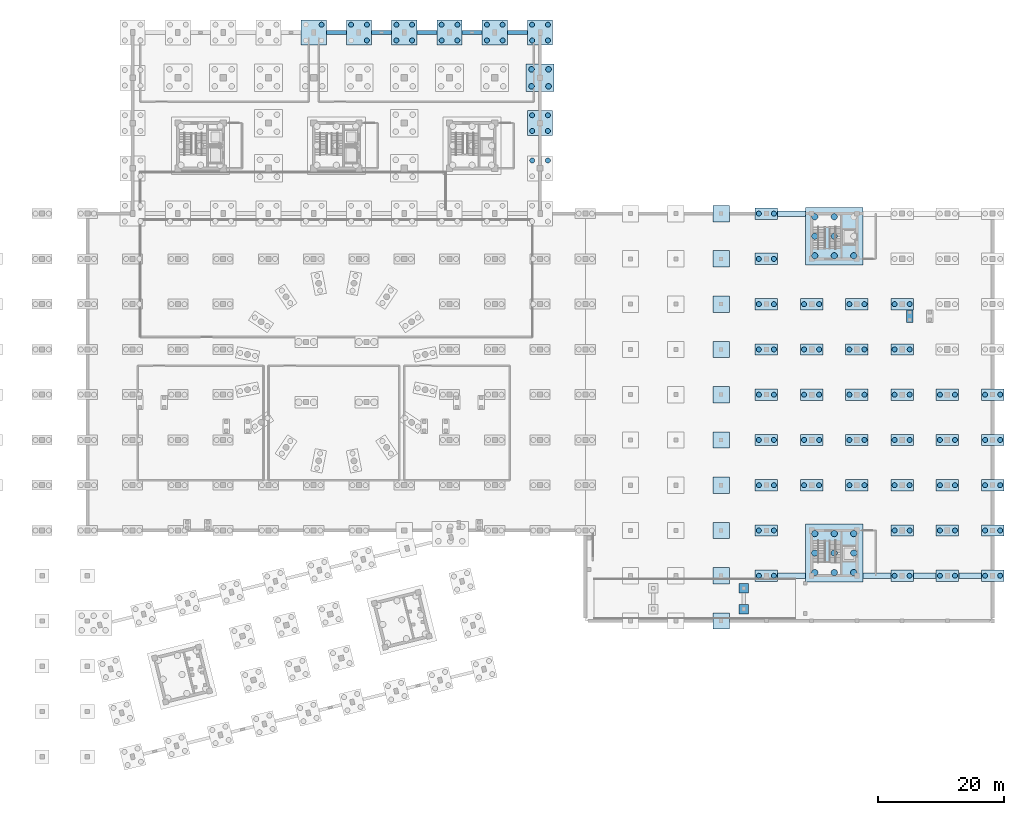
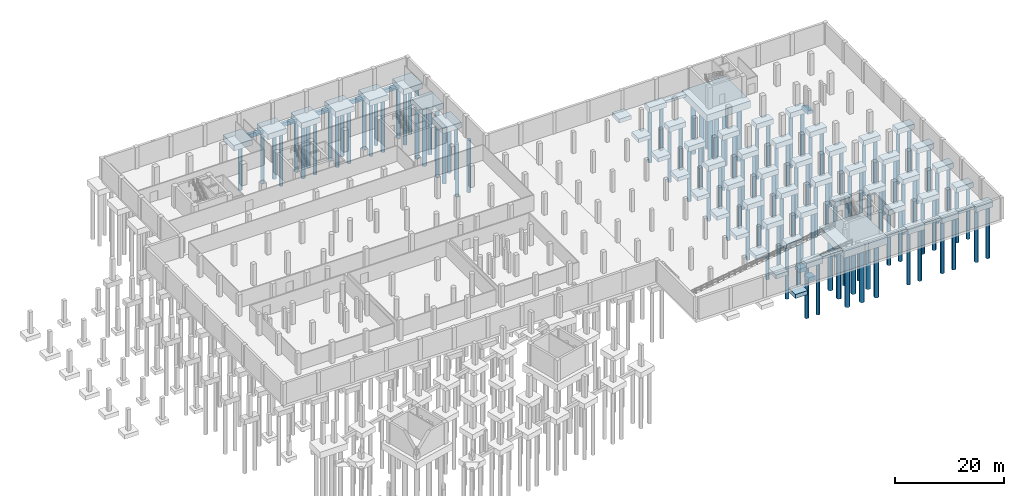
# One storey, part 5 of 19: 118 piles, 69 footings.
"""IFC4 building model written with IfcOpenShell, lengths in metres."""

from ifc_helpers import new_model, si_unit, direction, frame, origin, origin_2d, place, context, subcontext, project, spatial, rectangle, circle, extrude, material, material_profile, profile_set, type_object, element, save


model = new_model("IFC4")

# Units and contexts
model_context = context("Model", 3, precision=1e-05, world=origin(), true_north=direction((0.0, 1.0)))
body_context = subcontext(model_context, "Body", "Model", "MODEL_VIEW")
ifc_project = project(units=[si_unit("LENGTHUNIT", "METRE"), si_unit("AREAUNIT", "SQUARE_METRE"), si_unit("VOLUMEUNIT", "CUBIC_METRE"), si_unit("PLANEANGLEUNIT", "RADIAN"), si_unit("MASSUNIT", "GRAM", prefix="KILO")], contexts=[model_context])

# Site, building, storey
site_placement = place(None, origin())
site = spatial("IfcSite", under=ifc_project, at=site_placement, CompositionType="ELEMENT")
building_placement = place(site_placement, origin())
building = spatial("IfcBuilding", under=site, at=building_placement, Name="Qiaolan Assembly House", CompositionType="ELEMENT")
storey_placement = place(building_placement, frame((0.0, 0.0, -4.800048828125)))
storey = spatial("IfcBuildingStorey", under=building, at=storey_placement, Name="B1", CompositionType="ELEMENT", Elevation=-4.800048828125)

# Footings
ifc_material_1 = material(Name="Concrete C40/50", Category="concrete")
footing_type_1 = type_object("IfcFootingType", Name="FTG-CORE-RAFT-9200x9200", PredefinedType="PILE_CAP", material=ifc_material_1)
for number, where, z_axis, x_axis, name in (
    (1, (147.60009765625, 32.39990234375, -2.35009765625), (0.0, 0.0, 1.0), (1.0, 0.0, 0.0), "PC-01 pile cap CORE-E"),
    (2, (147.60009765625, 82.800048828125, -2.35009765625), (0.0, 0.0, 1.0), (1.0, 0.0, 0.0), "PC-01 pile cap CORE-F"),
):
    element("IfcFooting", number, at=place(storey_placement, frame(where, z_axis=z_axis, x_axis=x_axis)), inside=storey, type_object=footing_type_1, Name=name, PredefinedType="PILE_CAP", context=body_context, shape_type="SweptSolid", body=[
        extrude(rectangle(XDim=9.199951171875, YDim=9.199951171875, at=origin_2d()), origin(), (0.0, 0.0, 1.0), 1.60009765625),
    ])
ifc_material_profile_1 = material_profile(ifc_material_1, rectangle(XDim=0.60009765625, YDim=0.89990234375, at=origin_2d()), Name="GF 600x900")
ifc_profile_set_1 = profile_set([ifc_material_profile_1], Name="Concrete C40/50")
footing_type_2 = type_object("IfcFootingType", Name="FTG-GB-600x900", PredefinedType="FOOTING_BEAM", material=ifc_profile_set_1)
for number, where, z_axis, x_axis, name in (
    (3, (66.802978515625, 115.199951171875, -1.199951171875), (1.0, 0.0, 0.0), (0.0, 1.0, 0.0), "GF-01 ground tie beam NW-115-4"),
    (4, (74.0029296875, 115.199951171875, -1.199951171875), (1.0, 0.0, 0.0), (0.0, 1.0, 0.0), "GF-01 ground tie beam NW-115-5"),
    (5, (81.202880859375, 115.199951171875, -1.199951171875), (1.0, 0.0, 0.0), (0.0, 1.0, 0.0), "GF-01 ground tie beam NW-115-6"),
):
    element("IfcFooting", number, at=place(storey_placement, frame(where, z_axis=z_axis, x_axis=x_axis)), inside=storey, type_object=footing_type_2, Name=name, PredefinedType="FOOTING_BEAM", context=body_context, shape_type="SweptSolid", body=[
        extrude(rectangle(XDim=0.60009765625, YDim=0.89990234375, at=origin_2d()), origin(), (0.0, 0.0, 1.0), 3.194091796875),
    ])
footing_1_placement = place(storey_placement, frame((88.403076171875, 115.199951171875, -1.199951171875), z_axis=(1.0, 0.0, 0.0), x_axis=(0.0, 1.0, 0.0)))
element("IfcFooting", 6, at=footing_1_placement, inside=storey, type_object=footing_type_2, Name="GF-01 ground tie beam NW-115-7", PredefinedType="FOOTING_BEAM", context=body_context, shape_type="SweptSolid", body=[
    extrude(rectangle(XDim=0.60009765625, YDim=0.89990234375, at=origin_2d()), origin(), (0.0, 0.0, 1.0), 3.19384765625),
])
footing_2_placement = place(storey_placement, frame((95.60302734375, 115.199951171875, -1.199951171875), z_axis=(1.0, 0.0, 0.0), x_axis=(0.0, 1.0, 0.0)))
element("IfcFooting", 7, at=footing_2_placement, inside=storey, type_object=footing_type_2, Name="GF-01 ground tie beam NW-115-8", PredefinedType="FOOTING_BEAM", context=body_context, shape_type="SweptSolid", body=[
    extrude(rectangle(XDim=0.60009765625, YDim=0.89990234375, at=origin_2d()), origin(), (0.0, 0.0, 1.0), 3.194091796875),
])
footing_type_3 = type_object("IfcFootingType", Name="FTG-PAD-1500x1500", PredefinedType="PAD_FOOTING", material=ifc_material_1)
for number, where, z_axis, x_axis, name in (
    (8, (133.199951171875, 23.5, -0.89990234375), (0.0, 0.0, 1.0), (1.0, 0.0, 0.0), "PF-05 vehicle ramp pad footing 1"),
    (9, (133.199951171875, 26.800048828125, -0.89990234375), (0.0, 0.0, 1.0), (1.0, 0.0, 0.0), "PF-05 vehicle ramp pad footing 1"),
):
    element("IfcFooting", number, at=place(storey_placement, frame(where, z_axis=z_axis, x_axis=x_axis)), inside=storey, type_object=footing_type_3, Name=name, PredefinedType="PAD_FOOTING", context=body_context, shape_type="SweptSolid", body=[
        extrude(rectangle(XDim=1.5, YDim=1.5, at=origin_2d()), origin(), (0.0, 0.0, 1.0), 0.89990234375),
    ])
footing_type_4 = type_object("IfcFootingType", Name="FTG-PAD-2600x2600", PredefinedType="PAD_FOOTING", material=ifc_material_1)
for number, where, z_axis, x_axis, name in (
    (10, (129.60009765625, 21.60009765625, -1.64990234375), (0.0, 0.0, 1.0), (1.0, 0.0, 0.0), "PF-02 cloister/carpark pad footing 2-0"),
    (11, (129.60009765625, 28.800048828125, -1.64990234375), (0.0, 0.0, 1.0), (1.0, 0.0, 0.0), "PF-02 cloister/carpark pad footing 2-1"),
    (12, (129.60009765625, 36.0, -1.64990234375), (0.0, 0.0, 1.0), (1.0, 0.0, 0.0), "PF-02 cloister/carpark pad footing 2-2"),
    (13, (129.60009765625, 43.199951171875, -1.64990234375), (0.0, 0.0, 1.0), (1.0, 0.0, 0.0), "PF-02 cloister/carpark pad footing 2-3"),
    (14, (129.60009765625, 50.39990234375, -1.64990234375), (0.0, 0.0, 1.0), (1.0, 0.0, 0.0), "PF-02 cloister/carpark pad footing 2-4"),
    (15, (129.60009765625, 57.60009765625, -1.64990234375), (0.0, 0.0, 1.0), (1.0, 0.0, 0.0), "PF-02 cloister/carpark pad footing 2-5"),
    (16, (129.60009765625, 64.800048828125, -1.64990234375), (0.0, 0.0, 1.0), (1.0, 0.0, 0.0), "PF-02 cloister/carpark pad footing 2-6"),
    (17, (129.60009765625, 72.0, -1.64990234375), (0.0, 0.0, 1.0), (1.0, 0.0, 0.0), "PF-02 cloister/carpark pad footing 2-7"),
    (18, (129.60009765625, 79.199951171875, -1.64990234375), (0.0, 0.0, 1.0), (1.0, 0.0, 0.0), "PF-02 cloister/carpark pad footing 2-8"),
    (19, (129.60009765625, 86.39990234375, -1.64990234375), (0.0, 0.0, 1.0), (1.0, 0.0, 0.0), "PF-02 cloister/carpark pad footing 2-9"),
):
    element("IfcFooting", number, at=place(storey_placement, frame(where, z_axis=z_axis, x_axis=x_axis)), inside=storey, type_object=footing_type_4, Name=name, PredefinedType="PAD_FOOTING", context=body_context, shape_type="SweptSolid", body=[
        extrude(rectangle(XDim=2.60009765625, YDim=2.60009765625, at=origin_2d()), origin(), (0.0, 0.0, 1.0), 0.89990234375),
    ])
footing_type_5 = type_object("IfcFootingType", Name="FTG-PAD-3000x2400", PredefinedType="PAD_FOOTING", material=ifc_material_1)
footing_3_placement = place(storey_placement, frame((159.60009765625, 70.10009765625, -0.75), z_axis=(0.0, 0.0, 1.0), x_axis=(1.0, 0.0, 0.0)))
element("IfcFooting", 20, at=footing_3_placement, inside=storey, type_object=footing_type_5, Name="PF-04 library stair combined footing 1", PredefinedType="PAD_FOOTING", context=body_context, shape_type="SweptSolid", body=[
    extrude(rectangle(XDim=1.050048828125, YDim=2.0, at=origin_2d()), origin(), (0.0, 0.0, 1.0), 0.699951171875),
])
footing_type_6 = type_object("IfcFootingType", Name="FTG-PC-2P-3600x1800", PredefinedType="PILE_CAP", material=ifc_material_1)
for number, where, z_axis, x_axis, name in (
    (21, (136.800048828125, 28.800048828125, -1.89990234375), (0.0, 0.0, 1.0), (1.0, 0.0, 0.0), "PC-06 pile cap LB-00-00"),
    (22, (136.800048828125, 36.0, -1.89990234375), (0.0, 0.0, 1.0), (1.0, 0.0, 0.0), "PC-06 pile cap LB-00-01"),
    (23, (136.800048828125, 43.199951171875, -1.89990234375), (0.0, 0.0, 1.0), (1.0, 0.0, 0.0), "PC-06 pile cap LB-00-02"),
    (24, (136.800048828125, 50.39990234375, -1.89990234375), (0.0, 0.0, 1.0), (1.0, 0.0, 0.0), "PC-06 pile cap LB-00-03"),
    (25, (136.800048828125, 57.60009765625, -1.89990234375), (0.0, 0.0, 1.0), (1.0, 0.0, 0.0), "PC-06 pile cap LB-00-04"),
    (26, (136.800048828125, 64.800048828125, -1.89990234375), (0.0, 0.0, 1.0), (1.0, 0.0, 0.0), "PC-06 pile cap LB-00-05"),
    (27, (136.800048828125, 72.0, -1.89990234375), (0.0, 0.0, 1.0), (1.0, 0.0, 0.0), "PC-06 pile cap LB-00-06"),
    (28, (136.800048828125, 79.199951171875, -1.89990234375), (0.0, 0.0, 1.0), (1.0, 0.0, 0.0), "PC-06 pile cap LB-00-07"),
    (29, (136.800048828125, 86.39990234375, -1.89990234375), (0.0, 0.0, 1.0), (1.0, 0.0, 0.0), "PC-06 pile cap LB-00-08"),
    (30, (144.0, 43.199951171875, -1.89990234375), (0.0, 0.0, 1.0), (1.0, 0.0, 0.0), "PC-06 pile cap LB-01-02"),
    (31, (144.0, 50.39990234375, -1.89990234375), (0.0, 0.0, 1.0), (1.0, 0.0, 0.0), "PC-06 pile cap LB-01-03"),
    (32, (144.0, 57.60009765625, -1.89990234375), (0.0, 0.0, 1.0), (1.0, 0.0, 0.0), "PC-06 pile cap LB-01-04"),
    (33, (144.0, 64.800048828125, -1.89990234375), (0.0, 0.0, 1.0), (1.0, 0.0, 0.0), "PC-06 pile cap LB-01-05"),
    (34, (144.0, 72.0, -1.89990234375), (0.0, 0.0, 1.0), (1.0, 0.0, 0.0), "PC-06 pile cap LB-01-06"),
    (35, (151.199951171875, 43.199951171875, -1.89990234375), (0.0, 0.0, 1.0), (1.0, 0.0, 0.0), "PC-06 pile cap LB-02-02"),
    (36, (151.199951171875, 50.39990234375, -1.89990234375), (0.0, 0.0, 1.0), (1.0, 0.0, 0.0), "PC-06 pile cap LB-02-03"),
    (37, (151.199951171875, 57.60009765625, -1.89990234375), (0.0, 0.0, 1.0), (1.0, 0.0, 0.0), "PC-06 pile cap LB-02-04"),
    (38, (151.199951171875, 64.800048828125, -1.89990234375), (0.0, 0.0, 1.0), (1.0, 0.0, 0.0), "PC-06 pile cap LB-02-05"),
    (39, (151.199951171875, 72.0, -1.89990234375), (0.0, 0.0, 1.0), (1.0, 0.0, 0.0), "PC-06 pile cap LB-02-06"),
    (40, (158.39990234375, 28.800048828125, -1.89990234375), (0.0, 0.0, 1.0), (1.0, 0.0, 0.0), "PC-06 pile cap LB-03-00"),
    (41, (158.39990234375, 36.0, -1.89990234375), (0.0, 0.0, 1.0), (1.0, 0.0, 0.0), "PC-06 pile cap LB-03-01"),
    (42, (158.39990234375, 43.199951171875, -1.89990234375), (0.0, 0.0, 1.0), (1.0, 0.0, 0.0), "PC-06 pile cap LB-03-02"),
    (43, (158.39990234375, 50.39990234375, -1.89990234375), (0.0, 0.0, 1.0), (1.0, 0.0, 0.0), "PC-06 pile cap LB-03-03"),
    (44, (158.39990234375, 57.60009765625, -1.89990234375), (0.0, 0.0, 1.0), (1.0, 0.0, 0.0), "PC-06 pile cap LB-03-04"),
    (45, (158.39990234375, 64.800048828125, -1.89990234375), (0.0, 0.0, 1.0), (1.0, 0.0, 0.0), "PC-06 pile cap LB-03-05"),
    (46, (158.39990234375, 72.0, -1.89990234375), (0.0, 0.0, 1.0), (1.0, 0.0, 0.0), "PC-06 pile cap LB-03-06"),
    (47, (165.60009765625, 28.800048828125, -1.89990234375), (0.0, 0.0, 1.0), (1.0, 0.0, 0.0), "PC-06 pile cap LB-04-00"),
    (48, (165.60009765625, 36.0, -1.89990234375), (0.0, 0.0, 1.0), (1.0, 0.0, 0.0), "PC-06 pile cap LB-04-01"),
    (49, (165.60009765625, 43.199951171875, -1.89990234375), (0.0, 0.0, 1.0), (1.0, 0.0, 0.0), "PC-06 pile cap LB-04-02"),
    (50, (165.60009765625, 50.39990234375, -1.89990234375), (0.0, 0.0, 1.0), (1.0, 0.0, 0.0), "PC-06 pile cap LB-04-03"),
    (51, (165.60009765625, 57.60009765625, -1.89990234375), (0.0, 0.0, 1.0), (1.0, 0.0, 0.0), "PC-06 pile cap LB-04-04"),
    (52, (172.800048828125, 28.800048828125, -1.89990234375), (0.0, 0.0, 1.0), (1.0, 0.0, 0.0), "PC-06 pile cap LB-05-00"),
    (53, (172.800048828125, 36.0, -1.89990234375), (0.0, 0.0, 1.0), (1.0, 0.0, 0.0), "PC-06 pile cap LB-05-01"),
    (54, (172.800048828125, 43.199951171875, -1.89990234375), (0.0, 0.0, 1.0), (1.0, 0.0, 0.0), "PC-06 pile cap LB-05-02"),
    (55, (172.800048828125, 50.39990234375, -1.89990234375), (0.0, 0.0, 1.0), (1.0, 0.0, 0.0), "PC-06 pile cap LB-05-03"),
    (56, (172.800048828125, 57.60009765625, -1.89990234375), (0.0, 0.0, 1.0), (1.0, 0.0, 0.0), "PC-06 pile cap LB-05-04"),
):
    element("IfcFooting", number, at=place(storey_placement, frame(where, z_axis=z_axis, x_axis=x_axis)), inside=storey, type_object=footing_type_6, Name=name, PredefinedType="PILE_CAP", context=body_context, shape_type="SweptSolid", body=[
        extrude(rectangle(XDim=3.60009765625, YDim=1.800048828125, at=origin_2d()), origin(), (0.0, 0.0, 1.0), 1.14990234375),
    ])
footing_type_7 = type_object("IfcFootingType", Name="FTG-PC-4P-4000x4000", PredefinedType="PILE_CAP", material=ifc_material_1)
for number, where, z_axis, x_axis, name in (
    (57, (64.800048828125, 115.199951171875, -2.0), (0.0, 0.0, 1.0), (1.0, 0.0, 0.0), "PC-04 pile cap NW-04-04"),
    (58, (72.0, 115.199951171875, -2.0), (0.0, 0.0, 1.0), (1.0, 0.0, 0.0), "PC-04 pile cap NW-05-04"),
    (59, (79.199951171875, 115.199951171875, -2.0), (0.0, 0.0, 1.0), (1.0, 0.0, 0.0), "PC-04 pile cap NW-06-04"),
    (60, (86.39990234375, 115.199951171875, -2.0), (0.0, 0.0, 1.0), (1.0, 0.0, 0.0), "PC-04 pile cap NW-07-04"),
    (61, (93.60009765625, 115.199951171875, -2.0), (0.0, 0.0, 1.0), (1.0, 0.0, 0.0), "PC-04 pile cap NW-08-04"),
    (62, (100.800048828125, 100.800048828125, -2.0), (0.0, 0.0, 1.0), (1.0, 0.0, 0.0), "PC-04 pile cap NW-09-02"),
    (63, (100.800048828125, 115.199951171875, -2.0), (0.0, 0.0, 1.0), (1.0, 0.0, 0.0), "PC-04 pile cap NW-09-04"),
):
    element("IfcFooting", number, at=place(storey_placement, frame(where, z_axis=z_axis, x_axis=x_axis)), inside=storey, type_object=footing_type_7, Name=name, PredefinedType="PILE_CAP", context=body_context, shape_type="SweptSolid", body=[
        extrude(rectangle(XDim=4.0, YDim=4.0, at=origin_2d()), origin(), (0.0, 0.0, 1.0), 1.25),
    ])
footing_type_8 = type_object("IfcFootingType", Name="FTG-PC-4P-4400x4400", PredefinedType="PILE_CAP", material=ifc_material_1)
footing_4_placement = place(storey_placement, frame((100.800048828125, 108.0, -2.10009765625), z_axis=(0.0, 0.0, 1.0), x_axis=(1.0, 0.0, 0.0)))
element("IfcFooting", 64, at=footing_4_placement, inside=storey, type_object=footing_type_8, Name="PC-03 pile cap NW-09-03", PredefinedType="PILE_CAP", context=body_context, shape_type="SweptSolid", body=[
    extrude(rectangle(XDim=4.39990234375, YDim=4.39990234375, at=origin_2d()), origin(), (0.0, 0.0, 1.0), 1.35009765625),
])
ifc_material_profile_2 = material_profile(ifc_material_1, rectangle(XDim=0.89990234375, YDim=0.60009765625, at=origin_2d()), Name="SF 900x600")
ifc_profile_set_2 = profile_set([ifc_material_profile_2], Name="Concrete C40/50")
footing_type_9 = type_object("IfcFootingType", Name="FTG-STRIP-900x600", PredefinedType="STRIP_FOOTING", material=ifc_profile_set_2)
for number, where, z_axis, x_axis, name in (
    (65, (138.60302734375, 86.39990234375, -1.050048828125), (1.0, 0.0, 0.0), (0.0, 1.0, 0.0), "SF-01 strip footing beam LIB-0"),
    (66, (138.60302734375, 28.800048828125, -1.050048828125), (1.0, 0.0, 0.0), (0.0, 1.0, 0.0), "SF-01 strip footing beam LIB-S-0"),
    (67, (152.202880859375, 28.800048828125, -1.050048828125), (1.0, 0.0, 0.0), (0.0, 1.0, 0.0), "SF-01 strip footing beam LIB-S-2"),
):
    element("IfcFooting", number, at=place(storey_placement, frame(where, z_axis=z_axis, x_axis=x_axis)), inside=storey, type_object=footing_type_9, Name=name, PredefinedType="STRIP_FOOTING", context=body_context, shape_type="SweptSolid", body=[
        extrude(rectangle(XDim=0.89990234375, YDim=0.60009765625, at=origin_2d()), origin(), (0.0, 0.0, 1.0), 4.39404296875),
    ])
footing_5_placement = place(storey_placement, frame((160.202880859375, 28.800048828125, -1.050048828125), z_axis=(1.0, 0.0, 0.0), x_axis=(0.0, 1.0, 0.0)))
element("IfcFooting", 68, at=footing_5_placement, inside=storey, type_object=footing_type_9, Name="SF-01 strip footing beam LIB-S-3", PredefinedType="STRIP_FOOTING", context=body_context, shape_type="SweptSolid", body=[
    extrude(rectangle(XDim=0.89990234375, YDim=0.60009765625, at=origin_2d()), origin(), (0.0, 0.0, 1.0), 3.59423828125),
])
footing_6_placement = place(storey_placement, frame((167.403076171875, 28.800048828125, -1.050048828125), z_axis=(1.0, 0.0, 0.0), x_axis=(0.0, 1.0, 0.0)))
element("IfcFooting", 69, at=footing_6_placement, inside=storey, type_object=footing_type_9, Name="SF-01 strip footing beam LIB-S-4", PredefinedType="STRIP_FOOTING", context=body_context, shape_type="SweptSolid", body=[
    extrude(rectangle(XDim=0.89990234375, YDim=0.60009765625, at=origin_2d()), origin(), (0.0, 0.0, 1.0), 3.593994140625),
])

# Piles
ifc_material_2 = material(Name="Concrete C45/55", Category="concrete")
ifc_material_profile_3 = material_profile(ifc_material_2, circle(Radius=0.5, at=origin_2d()), Name="PILE D1000")
ifc_profile_set_3 = profile_set([ifc_material_profile_3], Name="Concrete C45/55")
pile_type_1 = type_object("IfcPileType", Name="PILE-BORED-D1000", PredefinedType="BORED", material=ifc_profile_set_3)
for number, where, z_axis, x_axis, name in (
    (70, (144.5, 29.300048828125, -2.25), (0.0, 0.0, -1.0), (1.0, 0.0, 0.0), "BP-03 rock-socketed pile CORE-E-1"),
    (71, (144.5, 32.39990234375, -2.25), (0.0, 0.0, -1.0), (1.0, 0.0, 0.0), "BP-03 rock-socketed pile CORE-E-2"),
    (72, (144.5, 35.5, -2.25), (0.0, 0.0, -1.0), (1.0, 0.0, 0.0), "BP-03 rock-socketed pile CORE-E-3"),
    (73, (147.60009765625, 29.300048828125, -2.25), (0.0, 0.0, -1.0), (1.0, 0.0, 0.0), "BP-03 rock-socketed pile CORE-E-4"),
    (74, (147.60009765625, 32.39990234375, -2.25), (0.0, 0.0, -1.0), (1.0, 0.0, 0.0), "BP-03 rock-socketed pile CORE-E-5"),
    (75, (147.60009765625, 35.5, -2.25), (0.0, 0.0, -1.0), (1.0, 0.0, 0.0), "BP-03 rock-socketed pile CORE-E-6"),
    (76, (150.699951171875, 29.300048828125, -2.25), (0.0, 0.0, -1.0), (1.0, 0.0, 0.0), "BP-03 rock-socketed pile CORE-E-7"),
    (77, (150.699951171875, 32.39990234375, -2.25), (0.0, 0.0, -1.0), (1.0, 0.0, 0.0), "BP-03 rock-socketed pile CORE-E-8"),
    (78, (150.699951171875, 35.5, -2.25), (0.0, 0.0, -1.0), (1.0, 0.0, 0.0), "BP-03 rock-socketed pile CORE-E-9"),
    (79, (144.5, 79.699951171875, -2.25), (0.0, 0.0, -1.0), (1.0, 0.0, 0.0), "BP-03 rock-socketed pile CORE-F-1"),
    (80, (144.5, 82.800048828125, -2.25), (0.0, 0.0, -1.0), (1.0, 0.0, 0.0), "BP-03 rock-socketed pile CORE-F-2"),
    (81, (144.5, 85.89990234375, -2.25), (0.0, 0.0, -1.0), (1.0, 0.0, 0.0), "BP-03 rock-socketed pile CORE-F-3"),
    (82, (147.60009765625, 79.699951171875, -2.25), (0.0, 0.0, -1.0), (1.0, 0.0, 0.0), "BP-03 rock-socketed pile CORE-F-4"),
    (83, (147.60009765625, 82.800048828125, -2.25), (0.0, 0.0, -1.0), (1.0, 0.0, 0.0), "BP-03 rock-socketed pile CORE-F-5"),
    (84, (147.60009765625, 85.89990234375, -2.25), (0.0, 0.0, -1.0), (1.0, 0.0, 0.0), "BP-03 rock-socketed pile CORE-F-6"),
    (85, (150.699951171875, 79.699951171875, -2.25), (0.0, 0.0, -1.0), (1.0, 0.0, 0.0), "BP-03 rock-socketed pile CORE-F-7"),
):
    element("IfcPile", number, at=place(storey_placement, frame(where, z_axis=z_axis, x_axis=x_axis)), inside=storey, type_object=pile_type_1, Name=name, PredefinedType="BORED", context=body_context, shape_type="SweptSolid", body=[
        extrude(circle(Radius=0.5, at=origin_2d()), origin(), (0.0, 0.0, 1.0), 12.199951171875),
    ])
ifc_material_profile_4 = material_profile(ifc_material_2, circle(Radius=0.39990234375, at=origin_2d()), Name="PILE D800")
ifc_profile_set_4 = profile_set([ifc_material_profile_4], Name="Concrete C45/55")
pile_type_2 = type_object("IfcPileType", Name="PILE-BORED-D800", PredefinedType="BORED", material=ifc_profile_set_4)
for number, where, z_axis, x_axis, name in (
    (86, (66.050048828125, 116.449951171875, -1.89990234375), (0.0, 0.0, -1.0), (1.0, 0.0, 0.0), "BP-01 rock-socketed pile NW-04-04-3"),
    (87, (73.25, 113.949951171875, -1.89990234375), (0.0, 0.0, -1.0), (1.0, 0.0, 0.0), "BP-01 rock-socketed pile NW-05-04-2"),
    (88, (73.25, 116.449951171875, -1.89990234375), (0.0, 0.0, -1.0), (1.0, 0.0, 0.0), "BP-01 rock-socketed pile NW-05-04-3"),
    (89, (70.75, 116.449951171875, -1.89990234375), (0.0, 0.0, -1.0), (1.0, 0.0, 0.0), "BP-01 rock-socketed pile NW-05-04-4"),
    (90, (77.949951171875, 113.949951171875, -1.89990234375), (0.0, 0.0, -1.0), (1.0, 0.0, 0.0), "BP-01 rock-socketed pile NW-06-04-1"),
    (91, (80.449951171875, 113.949951171875, -1.89990234375), (0.0, 0.0, -1.0), (1.0, 0.0, 0.0), "BP-01 rock-socketed pile NW-06-04-2"),
    (92, (80.449951171875, 116.449951171875, -1.89990234375), (0.0, 0.0, -1.0), (1.0, 0.0, 0.0), "BP-01 rock-socketed pile NW-06-04-3"),
    (93, (77.949951171875, 116.449951171875, -1.89990234375), (0.0, 0.0, -1.0), (1.0, 0.0, 0.0), "BP-01 rock-socketed pile NW-06-04-4"),
    (94, (85.14990234375, 113.949951171875, -1.89990234375), (0.0, 0.0, -1.0), (1.0, 0.0, 0.0), "BP-01 rock-socketed pile NW-07-04-1"),
    (95, (87.64990234375, 113.949951171875, -1.89990234375), (0.0, 0.0, -1.0), (1.0, 0.0, 0.0), "BP-01 rock-socketed pile NW-07-04-2"),
    (96, (87.64990234375, 116.449951171875, -1.89990234375), (0.0, 0.0, -1.0), (1.0, 0.0, 0.0), "BP-01 rock-socketed pile NW-07-04-3"),
    (97, (85.14990234375, 116.449951171875, -1.89990234375), (0.0, 0.0, -1.0), (1.0, 0.0, 0.0), "BP-01 rock-socketed pile NW-07-04-4"),
    (98, (92.35009765625, 113.949951171875, -1.89990234375), (0.0, 0.0, -1.0), (1.0, 0.0, 0.0), "BP-01 rock-socketed pile NW-08-04-1"),
    (99, (94.85009765625, 113.949951171875, -1.89990234375), (0.0, 0.0, -1.0), (1.0, 0.0, 0.0), "BP-01 rock-socketed pile NW-08-04-2"),
    (100, (94.85009765625, 116.449951171875, -1.89990234375), (0.0, 0.0, -1.0), (1.0, 0.0, 0.0), "BP-01 rock-socketed pile NW-08-04-3"),
    (101, (92.35009765625, 116.449951171875, -1.89990234375), (0.0, 0.0, -1.0), (1.0, 0.0, 0.0), "BP-01 rock-socketed pile NW-08-04-4"),
    (102, (102.050048828125, 94.85009765625, -1.89990234375), (0.0, 0.0, -1.0), (1.0, 0.0, 0.0), "BP-01 rock-socketed pile NW-09-01-3"),
    (103, (99.550048828125, 94.85009765625, -1.89990234375), (0.0, 0.0, -1.0), (1.0, 0.0, 0.0), "BP-01 rock-socketed pile NW-09-01-4"),
    (104, (99.550048828125, 99.550048828125, -1.89990234375), (0.0, 0.0, -1.0), (1.0, 0.0, 0.0), "BP-01 rock-socketed pile NW-09-02-1"),
    (105, (102.050048828125, 99.550048828125, -1.89990234375), (0.0, 0.0, -1.0), (1.0, 0.0, 0.0), "BP-01 rock-socketed pile NW-09-02-2"),
    (106, (102.050048828125, 102.050048828125, -1.89990234375), (0.0, 0.0, -1.0), (1.0, 0.0, 0.0), "BP-01 rock-socketed pile NW-09-02-3"),
    (107, (99.550048828125, 102.050048828125, -1.89990234375), (0.0, 0.0, -1.0), (1.0, 0.0, 0.0), "BP-01 rock-socketed pile NW-09-02-4"),
    (108, (99.550048828125, 113.949951171875, -1.89990234375), (0.0, 0.0, -1.0), (1.0, 0.0, 0.0), "BP-01 rock-socketed pile NW-09-04-1"),
    (109, (102.050048828125, 113.949951171875, -1.89990234375), (0.0, 0.0, -1.0), (1.0, 0.0, 0.0), "BP-01 rock-socketed pile NW-09-04-2"),
    (110, (102.050048828125, 116.449951171875, -1.89990234375), (0.0, 0.0, -1.0), (1.0, 0.0, 0.0), "BP-01 rock-socketed pile NW-09-04-3"),
    (111, (99.550048828125, 116.449951171875, -1.89990234375), (0.0, 0.0, -1.0), (1.0, 0.0, 0.0), "BP-01 rock-socketed pile NW-09-04-4"),
    (112, (135.60009765625, 28.800048828125, -1.800048828125), (0.0, 0.0, -1.0), (1.0, 0.0, 0.0), "BP-01 rock-socketed pile LB-00-00-1"),
    (113, (138.0, 28.800048828125, -1.800048828125), (0.0, 0.0, -1.0), (1.0, 0.0, 0.0), "BP-01 rock-socketed pile LB-00-00-2"),
    (114, (135.60009765625, 36.0, -1.800048828125), (0.0, 0.0, -1.0), (1.0, 0.0, 0.0), "BP-01 rock-socketed pile LB-00-01-1"),
    (115, (138.0, 36.0, -1.800048828125), (0.0, 0.0, -1.0), (1.0, 0.0, 0.0), "BP-01 rock-socketed pile LB-00-01-2"),
    (116, (135.60009765625, 43.199951171875, -1.800048828125), (0.0, 0.0, -1.0), (1.0, 0.0, 0.0), "BP-01 rock-socketed pile LB-00-02-1"),
    (117, (138.0, 43.199951171875, -1.800048828125), (0.0, 0.0, -1.0), (1.0, 0.0, 0.0), "BP-01 rock-socketed pile LB-00-02-2"),
    (118, (135.60009765625, 50.39990234375, -1.800048828125), (0.0, 0.0, -1.0), (1.0, 0.0, 0.0), "BP-01 rock-socketed pile LB-00-03-1"),
    (119, (138.0, 50.39990234375, -1.800048828125), (0.0, 0.0, -1.0), (1.0, 0.0, 0.0), "BP-01 rock-socketed pile LB-00-03-2"),
    (120, (135.60009765625, 57.60009765625, -1.800048828125), (0.0, 0.0, -1.0), (1.0, 0.0, 0.0), "BP-01 rock-socketed pile LB-00-04-1"),
    (121, (138.0, 57.60009765625, -1.800048828125), (0.0, 0.0, -1.0), (1.0, 0.0, 0.0), "BP-01 rock-socketed pile LB-00-04-2"),
    (122, (135.60009765625, 64.800048828125, -1.800048828125), (0.0, 0.0, -1.0), (1.0, 0.0, 0.0), "BP-01 rock-socketed pile LB-00-05-1"),
    (123, (138.0, 64.800048828125, -1.800048828125), (0.0, 0.0, -1.0), (1.0, 0.0, 0.0), "BP-01 rock-socketed pile LB-00-05-2"),
    (124, (135.60009765625, 72.0, -1.800048828125), (0.0, 0.0, -1.0), (1.0, 0.0, 0.0), "BP-01 rock-socketed pile LB-00-06-1"),
    (125, (138.0, 72.0, -1.800048828125), (0.0, 0.0, -1.0), (1.0, 0.0, 0.0), "BP-01 rock-socketed pile LB-00-06-2"),
    (126, (135.60009765625, 79.199951171875, -1.800048828125), (0.0, 0.0, -1.0), (1.0, 0.0, 0.0), "BP-01 rock-socketed pile LB-00-07-1"),
    (127, (138.0, 79.199951171875, -1.800048828125), (0.0, 0.0, -1.0), (1.0, 0.0, 0.0), "BP-01 rock-socketed pile LB-00-07-2"),
    (128, (135.60009765625, 86.39990234375, -1.800048828125), (0.0, 0.0, -1.0), (1.0, 0.0, 0.0), "BP-01 rock-socketed pile LB-00-08-1"),
    (129, (138.0, 86.39990234375, -1.800048828125), (0.0, 0.0, -1.0), (1.0, 0.0, 0.0), "BP-01 rock-socketed pile LB-00-08-2"),
    (130, (142.800048828125, 43.199951171875, -1.800048828125), (0.0, 0.0, -1.0), (1.0, 0.0, 0.0), "BP-01 rock-socketed pile LB-01-02-1"),
    (131, (145.199951171875, 43.199951171875, -1.800048828125), (0.0, 0.0, -1.0), (1.0, 0.0, 0.0), "BP-01 rock-socketed pile LB-01-02-2"),
    (132, (142.800048828125, 50.39990234375, -1.800048828125), (0.0, 0.0, -1.0), (1.0, 0.0, 0.0), "BP-01 rock-socketed pile LB-01-03-1"),
    (133, (145.199951171875, 50.39990234375, -1.800048828125), (0.0, 0.0, -1.0), (1.0, 0.0, 0.0), "BP-01 rock-socketed pile LB-01-03-2"),
    (134, (142.800048828125, 57.60009765625, -1.800048828125), (0.0, 0.0, -1.0), (1.0, 0.0, 0.0), "BP-01 rock-socketed pile LB-01-04-1"),
    (135, (145.199951171875, 57.60009765625, -1.800048828125), (0.0, 0.0, -1.0), (1.0, 0.0, 0.0), "BP-01 rock-socketed pile LB-01-04-2"),
    (136, (142.800048828125, 64.800048828125, -1.800048828125), (0.0, 0.0, -1.0), (1.0, 0.0, 0.0), "BP-01 rock-socketed pile LB-01-05-1"),
    (137, (145.199951171875, 64.800048828125, -1.800048828125), (0.0, 0.0, -1.0), (1.0, 0.0, 0.0), "BP-01 rock-socketed pile LB-01-05-2"),
    (138, (142.800048828125, 72.0, -1.800048828125), (0.0, 0.0, -1.0), (1.0, 0.0, 0.0), "BP-01 rock-socketed pile LB-01-06-1"),
    (139, (145.199951171875, 72.0, -1.800048828125), (0.0, 0.0, -1.0), (1.0, 0.0, 0.0), "BP-01 rock-socketed pile LB-01-06-2"),
    (140, (150.0, 43.199951171875, -1.800048828125), (0.0, 0.0, -1.0), (1.0, 0.0, 0.0), "BP-01 rock-socketed pile LB-02-02-1"),
    (141, (152.39990234375, 43.199951171875, -1.800048828125), (0.0, 0.0, -1.0), (1.0, 0.0, 0.0), "BP-01 rock-socketed pile LB-02-02-2"),
    (142, (150.0, 50.39990234375, -1.800048828125), (0.0, 0.0, -1.0), (1.0, 0.0, 0.0), "BP-01 rock-socketed pile LB-02-03-1"),
    (143, (152.39990234375, 50.39990234375, -1.800048828125), (0.0, 0.0, -1.0), (1.0, 0.0, 0.0), "BP-01 rock-socketed pile LB-02-03-2"),
    (144, (150.0, 57.60009765625, -1.800048828125), (0.0, 0.0, -1.0), (1.0, 0.0, 0.0), "BP-01 rock-socketed pile LB-02-04-1"),
    (145, (152.39990234375, 57.60009765625, -1.800048828125), (0.0, 0.0, -1.0), (1.0, 0.0, 0.0), "BP-01 rock-socketed pile LB-02-04-2"),
    (146, (150.0, 64.800048828125, -1.800048828125), (0.0, 0.0, -1.0), (1.0, 0.0, 0.0), "BP-01 rock-socketed pile LB-02-05-1"),
    (147, (152.39990234375, 64.800048828125, -1.800048828125), (0.0, 0.0, -1.0), (1.0, 0.0, 0.0), "BP-01 rock-socketed pile LB-02-05-2"),
    (148, (150.0, 72.0, -1.800048828125), (0.0, 0.0, -1.0), (1.0, 0.0, 0.0), "BP-01 rock-socketed pile LB-02-06-1"),
    (149, (152.39990234375, 72.0, -1.800048828125), (0.0, 0.0, -1.0), (1.0, 0.0, 0.0), "BP-01 rock-socketed pile LB-02-06-2"),
    (150, (157.199951171875, 28.800048828125, -1.800048828125), (0.0, 0.0, -1.0), (1.0, 0.0, 0.0), "BP-01 rock-socketed pile LB-03-00-1"),
    (151, (159.60009765625, 28.800048828125, -1.800048828125), (0.0, 0.0, -1.0), (1.0, 0.0, 0.0), "BP-01 rock-socketed pile LB-03-00-2"),
    (152, (157.199951171875, 36.0, -1.800048828125), (0.0, 0.0, -1.0), (1.0, 0.0, 0.0), "BP-01 rock-socketed pile LB-03-01-1"),
    (153, (159.60009765625, 36.0, -1.800048828125), (0.0, 0.0, -1.0), (1.0, 0.0, 0.0), "BP-01 rock-socketed pile LB-03-01-2"),
    (154, (157.199951171875, 43.199951171875, -1.800048828125), (0.0, 0.0, -1.0), (1.0, 0.0, 0.0), "BP-01 rock-socketed pile LB-03-02-1"),
    (155, (159.60009765625, 43.199951171875, -1.800048828125), (0.0, 0.0, -1.0), (1.0, 0.0, 0.0), "BP-01 rock-socketed pile LB-03-02-2"),
    (156, (157.199951171875, 50.39990234375, -1.800048828125), (0.0, 0.0, -1.0), (1.0, 0.0, 0.0), "BP-01 rock-socketed pile LB-03-03-1"),
    (157, (159.60009765625, 50.39990234375, -1.800048828125), (0.0, 0.0, -1.0), (1.0, 0.0, 0.0), "BP-01 rock-socketed pile LB-03-03-2"),
    (158, (157.199951171875, 57.60009765625, -1.800048828125), (0.0, 0.0, -1.0), (1.0, 0.0, 0.0), "BP-01 rock-socketed pile LB-03-04-1"),
    (159, (159.60009765625, 57.60009765625, -1.800048828125), (0.0, 0.0, -1.0), (1.0, 0.0, 0.0), "BP-01 rock-socketed pile LB-03-04-2"),
    (160, (157.199951171875, 64.800048828125, -1.800048828125), (0.0, 0.0, -1.0), (1.0, 0.0, 0.0), "BP-01 rock-socketed pile LB-03-05-1"),
    (161, (159.60009765625, 64.800048828125, -1.800048828125), (0.0, 0.0, -1.0), (1.0, 0.0, 0.0), "BP-01 rock-socketed pile LB-03-05-2"),
    (162, (157.199951171875, 72.0, -1.800048828125), (0.0, 0.0, -1.0), (1.0, 0.0, 0.0), "BP-01 rock-socketed pile LB-03-06-1"),
    (163, (159.60009765625, 72.0, -1.800048828125), (0.0, 0.0, -1.0), (1.0, 0.0, 0.0), "BP-01 rock-socketed pile LB-03-06-2"),
    (164, (164.39990234375, 28.800048828125, -1.800048828125), (0.0, 0.0, -1.0), (1.0, 0.0, 0.0), "BP-01 rock-socketed pile LB-04-00-1"),
    (165, (166.800048828125, 28.800048828125, -1.800048828125), (0.0, 0.0, -1.0), (1.0, 0.0, 0.0), "BP-01 rock-socketed pile LB-04-00-2"),
    (166, (164.39990234375, 36.0, -1.800048828125), (0.0, 0.0, -1.0), (1.0, 0.0, 0.0), "BP-01 rock-socketed pile LB-04-01-1"),
    (167, (166.800048828125, 36.0, -1.800048828125), (0.0, 0.0, -1.0), (1.0, 0.0, 0.0), "BP-01 rock-socketed pile LB-04-01-2"),
    (168, (164.39990234375, 43.199951171875, -1.800048828125), (0.0, 0.0, -1.0), (1.0, 0.0, 0.0), "BP-01 rock-socketed pile LB-04-02-1"),
    (169, (166.800048828125, 43.199951171875, -1.800048828125), (0.0, 0.0, -1.0), (1.0, 0.0, 0.0), "BP-01 rock-socketed pile LB-04-02-2"),
    (170, (164.39990234375, 50.39990234375, -1.800048828125), (0.0, 0.0, -1.0), (1.0, 0.0, 0.0), "BP-01 rock-socketed pile LB-04-03-1"),
    (171, (166.800048828125, 50.39990234375, -1.800048828125), (0.0, 0.0, -1.0), (1.0, 0.0, 0.0), "BP-01 rock-socketed pile LB-04-03-2"),
    (172, (164.39990234375, 57.60009765625, -1.800048828125), (0.0, 0.0, -1.0), (1.0, 0.0, 0.0), "BP-01 rock-socketed pile LB-04-04-1"),
    (173, (166.800048828125, 57.60009765625, -1.800048828125), (0.0, 0.0, -1.0), (1.0, 0.0, 0.0), "BP-01 rock-socketed pile LB-04-04-2"),
    (174, (171.60009765625, 28.800048828125, -1.800048828125), (0.0, 0.0, -1.0), (1.0, 0.0, 0.0), "BP-01 rock-socketed pile LB-05-00-1"),
    (175, (174.0, 28.800048828125, -1.800048828125), (0.0, 0.0, -1.0), (1.0, 0.0, 0.0), "BP-01 rock-socketed pile LB-05-00-2"),
    (176, (171.60009765625, 36.0, -1.800048828125), (0.0, 0.0, -1.0), (1.0, 0.0, 0.0), "BP-01 rock-socketed pile LB-05-01-1"),
    (177, (174.0, 36.0, -1.800048828125), (0.0, 0.0, -1.0), (1.0, 0.0, 0.0), "BP-01 rock-socketed pile LB-05-01-2"),
    (178, (171.60009765625, 43.199951171875, -1.800048828125), (0.0, 0.0, -1.0), (1.0, 0.0, 0.0), "BP-01 rock-socketed pile LB-05-02-1"),
    (179, (174.0, 43.199951171875, -1.800048828125), (0.0, 0.0, -1.0), (1.0, 0.0, 0.0), "BP-01 rock-socketed pile LB-05-02-2"),
    (180, (171.60009765625, 50.39990234375, -1.800048828125), (0.0, 0.0, -1.0), (1.0, 0.0, 0.0), "BP-01 rock-socketed pile LB-05-03-1"),
    (181, (174.0, 50.39990234375, -1.800048828125), (0.0, 0.0, -1.0), (1.0, 0.0, 0.0), "BP-01 rock-socketed pile LB-05-03-2"),
    (182, (171.60009765625, 57.60009765625, -1.800048828125), (0.0, 0.0, -1.0), (1.0, 0.0, 0.0), "BP-01 rock-socketed pile LB-05-04-1"),
    (183, (174.0, 57.60009765625, -1.800048828125), (0.0, 0.0, -1.0), (1.0, 0.0, 0.0), "BP-01 rock-socketed pile LB-05-04-2"),
):
    element("IfcPile", number, at=place(storey_placement, frame(where, z_axis=z_axis, x_axis=x_axis)), inside=storey, type_object=pile_type_2, Name=name, PredefinedType="BORED", context=body_context, shape_type="SweptSolid", body=[
        extrude(circle(Radius=0.39990234375, at=origin_2d()), origin(), (0.0, 0.0, 1.0), 11.800048828125),
    ])
ifc_material_profile_5 = material_profile(ifc_material_2, circle(Radius=0.449951171875, at=origin_2d()), Name="PILE D900")
ifc_profile_set_5 = profile_set([ifc_material_profile_5], Name="Concrete C45/55")
pile_type_3 = type_object("IfcPileType", Name="PILE-BORED-D900", PredefinedType="BORED", material=ifc_profile_set_5)
for number, where, z_axis, x_axis, name in (
    (184, (99.449951171875, 106.64990234375, -2.0), (0.0, 0.0, -1.0), (1.0, 0.0, 0.0), "BP-02 rock-socketed pile NW-09-03-1"),
    (185, (102.14990234375, 106.64990234375, -2.0), (0.0, 0.0, -1.0), (1.0, 0.0, 0.0), "BP-02 rock-socketed pile NW-09-03-2"),
    (186, (102.14990234375, 109.35009765625, -2.0), (0.0, 0.0, -1.0), (1.0, 0.0, 0.0), "BP-02 rock-socketed pile NW-09-03-3"),
    (187, (99.449951171875, 109.35009765625, -2.0), (0.0, 0.0, -1.0), (1.0, 0.0, 0.0), "BP-02 rock-socketed pile NW-09-03-4"),
):
    element("IfcPile", number, at=place(storey_placement, frame(where, z_axis=z_axis, x_axis=x_axis)), inside=storey, type_object=pile_type_3, Name=name, PredefinedType="BORED", context=body_context, shape_type="SweptSolid", body=[
        extrude(circle(Radius=0.449951171875, at=origin_2d()), origin(), (0.0, 0.0, 1.0), 12.0),
    ])

save(model, "model.ifc")
